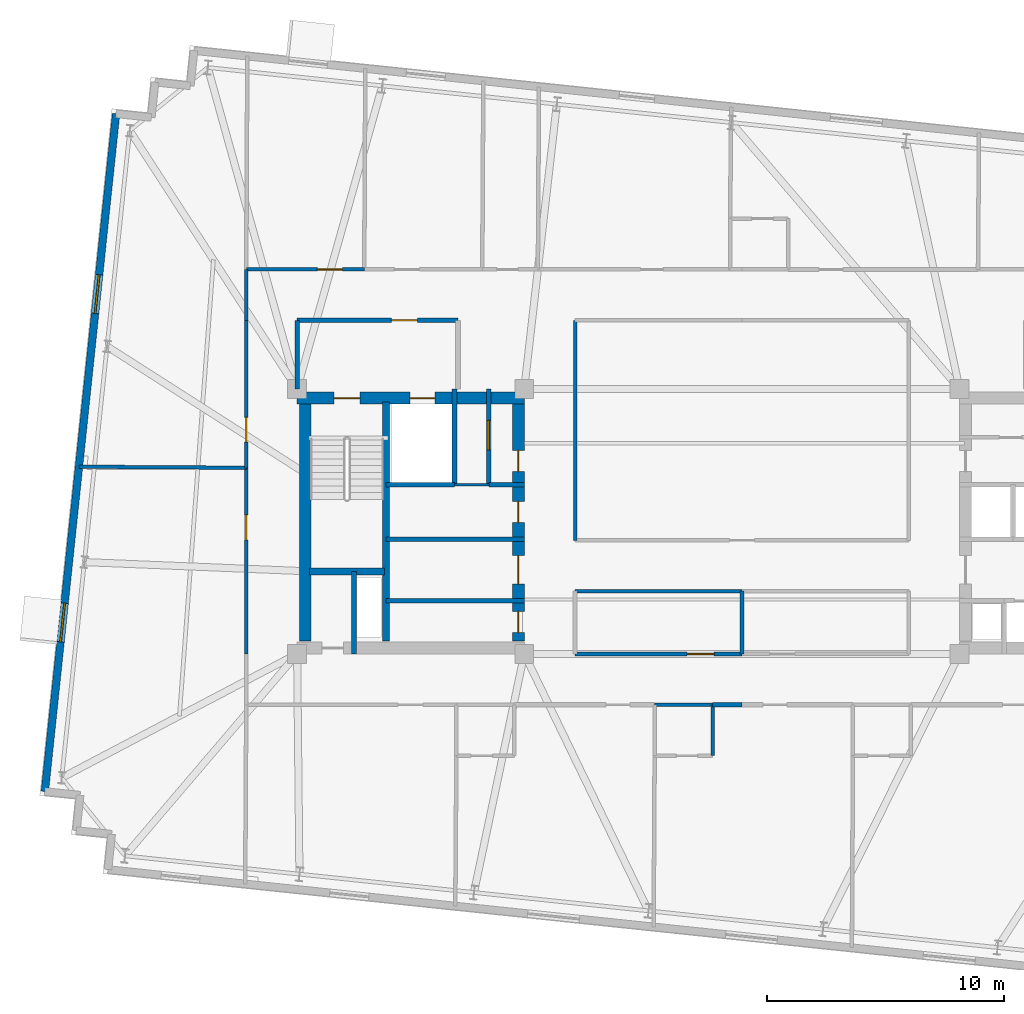
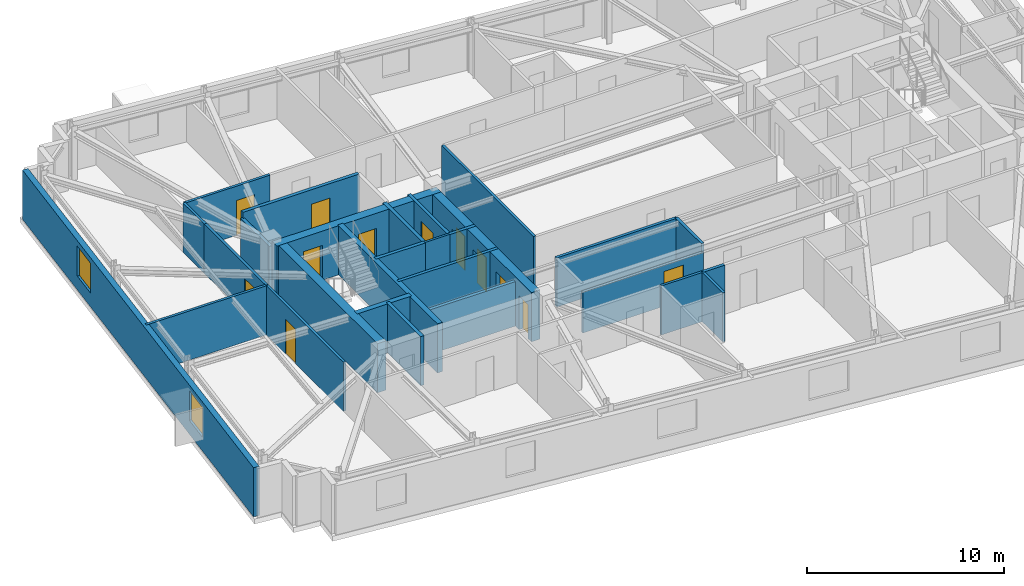
# One storey, part 6 of 11: 28 walls, 12 doors, 2 windows, 14 openings.
"""IFC4 building model written with IfcOpenShell, lengths in metres."""

import ifcopenshell
import ifcopenshell.guid

model = None  # the IFC model being written
_history = None  # IfcOwnerHistory: only IFC2X3 demands one
_inside = {}  # id of a spatial element -> (the spatial element, [elements in it])
_under = {}  # id of a project, library or spatial element -> (it, [spatial elements below it])
_declared = {}  # id of a project -> (the project, [libraries it declares])
_typed = {}  # id of a type object -> (the type object, [elements of that type])
_made_of = {}  # id of a material, layer set ... -> (it, [elements and type objects made of it])


def new_model(schema):
    """Start an empty IFC model of exactly this schema.

    Asked for "IFC4X3", IfcOpenShell would pick the latest addendum, in which some entities
    have other attributes; the version numbers below select the first issue.
    IFC2X3 requires an IfcOwnerHistory on every rooted entity: one is made here for all.
    """
    global model, _history
    if schema == "IFC4X3":
        model = ifcopenshell.file(schema_version=(4, 3, 0, 0))
    else:
        model = ifcopenshell.file(schema=schema)
    _inside.clear()
    _under.clear()
    _declared.clear()
    _typed.clear()
    _made_of.clear()
    _history = None
    if model.schema == "IFC2X3":
        org = make("IfcOrganization", Name="unknown")
        user = make(
            "IfcPersonAndOrganization",
            ThePerson=make("IfcPerson", FamilyName="unknown"),
            TheOrganization=org,
        )
        app = make(
            "IfcApplication",
            ApplicationDeveloper=org,
            Version="unknown",
            ApplicationFullName="unknown",
            ApplicationIdentifier="unknown",
        )
        _history = make(
            "IfcOwnerHistory",
            OwningUser=user,
            OwningApplication=app,
            ChangeAction="ADDED",
            CreationDate=0,
        )
    return model


def make(cls, **values):
    """One entity of the class cls with the attributes given. An attribute that is None is left unset."""
    return model.create_entity(
        cls, **{name: value for name, value in values.items() if value is not None}
    )


def rooted(cls, **values):
    """An entity with a GlobalId (a new one), such as an element, a storey or a relation."""
    return make(cls, GlobalId=ifcopenshell.guid.new(), OwnerHistory=_history, **values)


def si_unit(unit_type, name, prefix=None):
    """IfcSIUnit, for example si_unit("LENGTHUNIT", "METRE", prefix="MILLI")."""
    return make("IfcSIUnit", UnitType=unit_type, Prefix=prefix, Name=name)


def assignment(units):
    """IfcUnitAssignment: the units of a project."""
    return None if units is None else make("IfcUnitAssignment", Units=units)


def point(xyz):
    """IfcCartesianPoint."""
    return None if xyz is None else make("IfcCartesianPoint", Coordinates=xyz)


def direction(xyz):
    """IfcDirection."""
    return None if xyz is None else make("IfcDirection", DirectionRatios=xyz)


def frame(location, z_axis=None, x_axis=None):
    """IfcAxis2Placement3D, a coordinate frame: its origin and axes. An axis left out is left unset."""
    return make(
        "IfcAxis2Placement3D",
        Location=point(location),
        Axis=direction(z_axis),
        RefDirection=direction(x_axis),
    )


def frame_2d(location, x_axis=None):
    """IfcAxis2Placement2D, a coordinate frame in the plane: its origin and x axis."""
    return make(
        "IfcAxis2Placement2D", Location=point(location), RefDirection=direction(x_axis)
    )


def origin():
    """The frame at (0, 0, 0) with its axes left unset."""
    return frame((0.0, 0.0, 0.0))


def place(relative_to, where):
    """IfcLocalPlacement: puts the frame where relative to a parent placement (None: the world)."""
    return make(
        "IfcLocalPlacement", PlacementRelTo=relative_to, RelativePlacement=where
    )


def context(
    kind, dimensions, precision=None, world=None, true_north=None, identifier=None
):
    """IfcGeometricRepresentationContext, for example the 3D "Model" context."""
    return make(
        "IfcGeometricRepresentationContext",
        ContextIdentifier=identifier,
        ContextType=kind,
        CoordinateSpaceDimension=dimensions,
        Precision=precision,
        WorldCoordinateSystem=world,
        TrueNorth=true_north,
    )


def subcontext(parent, identifier, kind, view, scale=None):
    """IfcGeometricRepresentationSubContext, for example "Body" below "Model"."""
    return make(
        "IfcGeometricRepresentationSubContext",
        ContextIdentifier=identifier,
        ContextType=kind,
        ParentContext=parent,
        TargetScale=scale,
        TargetView=view,
    )


def project(units=None, contexts=None):
    """IfcProject with its units and contexts."""
    return rooted(
        "IfcProject",
        Name="project",
        RepresentationContexts=contexts,
        UnitsInContext=assignment(units),
    )


def spatial(cls, under=None, at=None, **own):
    """A site, building, storey or space (cls), placed at a placement, below another one or the project."""
    s = rooted(cls, ObjectPlacement=at, **own)
    if under is not None:
        _under.setdefault(under.id(), (under, []))[1].append(s)
    return s


def profile(cls, at=None, kind="AREA", **sizes):
    """A parametric profile (cls). Its sizes go by their IFC names, for example OverallWidth=200.0."""
    return make(cls, ProfileType=kind, Position=at, **sizes)


def rectangle(**sizes):
    """IfcRectangleProfileDef."""
    return profile("IfcRectangleProfileDef", **sizes)


def extrude(swept, where, along, depth):
    """IfcExtrudedAreaSolid: the profile swept, set in the frame where, extruded along a direction by depth."""
    return make(
        "IfcExtrudedAreaSolid",
        SweptArea=swept,
        Position=where,
        ExtrudedDirection=direction(along),
        Depth=depth,
    )


def shape(context_of_items, identifier, shape_type, items):
    """IfcShapeRepresentation: the items that make up one representation, for example the "Body"."""
    return make(
        "IfcShapeRepresentation",
        ContextOfItems=context_of_items,
        RepresentationIdentifier=identifier,
        RepresentationType=shape_type,
        Items=items,
    )


def material(Name=None, Category=None):
    """IfcMaterial."""
    return make("IfcMaterial", Name=Name, Category=Category)


def layer(
    of_material, thickness, ventilated=None, Name=None, Category=None, Priority=None
):
    """IfcMaterialLayer: one layer of a wall or slab, of a material (None: an air gap)."""
    return make(
        "IfcMaterialLayer",
        Material=of_material,
        LayerThickness=thickness,
        IsVentilated=ventilated,
        Name=Name,
        Category=Category,
        Priority=Priority,
    )


def layer_set(layers, Name=None):
    """IfcMaterialLayerSet."""
    return make("IfcMaterialLayerSet", MaterialLayers=layers, LayerSetName=Name)


def made_of(thing, what):
    """Note that an element or type object is made of a material, layer set ...; save() writes the relation."""
    if what is not None:
        _made_of.setdefault(what.id(), (what, []))[1].append(thing)
    return thing


def type_object(cls, material=None, **own):
    """A type object (cls), such as IfcWallType, which elements share."""
    return made_of(rooted(cls, **own), material)


def element(
    cls,
    number,
    at=None,
    inside=None,
    cuts=None,
    type_object=None,
    material=None,
    context=None,
    identifier="Body",
    shape_type=None,
    held_by="IfcProductDefinitionShape",
    body=None,
    shapes=None,
    **own,
):
    """One element of the class cls, such as IfcWall. Its Tag is "e" and its number.

    at: its placement. inside: the storey or other place that contains it. cuts: it is an
    opening in that element (IfcRelVoidsElement). A single representation is given by context,
    identifier, shape_type and body (its items); several are given by shapes. held_by: the class
    of the entity that holds the representations. save() writes the other relations.
    """
    e = rooted(cls, Tag="e%d" % number, ObjectPlacement=at, **own)
    if body is not None:
        shapes = [shape(context, identifier, shape_type, body)]
    if shapes is not None:
        e.Representation = make(held_by, Representations=shapes)
    if inside is not None:
        _inside.setdefault(inside.id(), (inside, []))[1].append(e)
    if cuts is not None:
        rooted(
            "IfcRelVoidsElement", RelatingBuildingElement=cuts, RelatedOpeningElement=e
        )
    if type_object is not None:
        _typed.setdefault(type_object.id(), (type_object, []))[1].append(e)
    return made_of(e, material)


def fill(opening, filler):
    """IfcRelFillsElement: the door or window that sits in an opening."""
    return rooted(
        "IfcRelFillsElement",
        RelatingOpeningElement=opening,
        RelatedBuildingElement=filler,
    )


def aggregate(whole, parts):
    """IfcRelAggregates: a whole, such as a stair, and the parts it consists of."""
    return rooted("IfcRelAggregates", RelatingObject=whole, RelatedObjects=parts)


def save(model, path):
    """Write the relations noted so far, then the file.

    IfcRelAggregates (storeys below a building ...), IfcRelContainedInSpatialStructure (elements
    in a storey), IfcRelDefinesByType, IfcRelAssociatesMaterial and IfcRelDeclares: one each for
    every whole, place, type object, material and project.
    """
    for whole, parts in _under.values():
        aggregate(whole, parts)
    for where, things in _inside.values():
        rooted(
            "IfcRelContainedInSpatialStructure",
            RelatedElements=things,
            RelatingStructure=where,
        )
    for kind, things in _typed.values():
        rooted("IfcRelDefinesByType", RelatedObjects=things, RelatingType=kind)
    for what, things in _made_of.values():
        rooted("IfcRelAssociatesMaterial", RelatedObjects=things, RelatingMaterial=what)
    for by, libraries in _declared.values():
        rooted("IfcRelDeclares", RelatingContext=by, RelatedDefinitions=libraries)
    model.write(path)


model = new_model("IFC4")

# Units and contexts
model_context = context("Model", 3, precision=1e-05, world=origin(), true_north=direction((0.0, 1.0)))
body_context = subcontext(model_context, "Body", "Model", "MODEL_VIEW")
ifc_project = project(units=[si_unit("LENGTHUNIT", "METRE"), si_unit("AREAUNIT", "SQUARE_METRE"), si_unit("VOLUMEUNIT", "CUBIC_METRE"), si_unit("PLANEANGLEUNIT", "RADIAN"), si_unit("MASSUNIT", "GRAM", prefix="KILO")], contexts=[model_context])

# Site, building, storey
site_placement = place(None, origin())
site = spatial("IfcSite", under=ifc_project, at=site_placement, CompositionType="ELEMENT")
building_placement = place(site_placement, origin())
building = spatial("IfcBuilding", under=site, at=building_placement, Name="Qobustan Lattice House", CompositionType="ELEMENT")
storey_placement = place(building_placement, frame((0.0, 0.0, 193.050048828125)))
storey = spatial("IfcBuildingStorey", under=building, at=storey_placement, Name="L54", CompositionType="ELEMENT", Elevation=193.050048828125)

# Wall, openings, doors
ifc_material_1 = material(Name="Concrete C50/60", Category="concrete")
ifc_layer_1 = layer(ifc_material_1, 0.5)
ifc_layer_set_1 = layer_set([ifc_layer_1], Name="Concrete C50/60")
wall_type_1 = type_object("IfcWallType", Name="WAL-CORE-500", PredefinedType="SHEAR", material=ifc_layer_set_1)
wall_1_placement = place(storey_placement, frame((-18.800048828125, 5.2099609375, 0.0), z_axis=(0.0, 0.0, 1.0), x_axis=(1.0, 0.0, 0.0)))
wall_1 = element("IfcWall", 1, at=wall_1_placement, inside=storey, type_object=wall_type_1, Name="L54 split-core shear wall CW-N", PredefinedType="SHEAR", context=body_context, shape_type="SweptSolid", body=[
    extrude(rectangle(XDim=9.60009765625, YDim=0.5, at=frame_2d((4.800048828125, 0.0))), origin(), (0.0, 0.0, 1.0), 3.0400390625),
])
opening_1_placement = place(wall_1_placement, frame((1.550048828125, 0.0, 0.0)))
opening_1 = element("IfcOpeningElement", 2, at=opening_1_placement, cuts=wall_1, Name="Opening SD-01", PredefinedType="OPENING", context=body_context, shape_type="SweptSolid", body=[
    extrude(rectangle(XDim=1.10009765625, YDim=2.14990234375, at=frame_2d((0.550048828125, 1.074951171875))), frame((0.0, 0.260009765625, 0.0), z_axis=(0.0, -1.0, 0.0), x_axis=(1.0, 0.0, 0.0)), (0.0, 0.0, 1.0), 0.52001953125),
])
opening_2_placement = place(wall_1_placement, frame((4.77490234375, 0.0, 0.0)))
opening_2 = element("IfcOpeningElement", 3, at=opening_2_placement, cuts=wall_1, Name="Opening LD-01", PredefinedType="OPENING", context=body_context, shape_type="SweptSolid", body=[
    extrude(rectangle(XDim=1.050048828125, YDim=2.10009765625, at=frame_2d((0.52490234375, 1.050048828125))), frame((0.0, 0.260009765625, 0.0), z_axis=(0.0, -1.0, 0.0), x_axis=(1.0, 0.0, 0.0)), (0.0, 0.0, 1.0), 0.52001953125),
])
ifc_material_2 = material(Name="Persian walnut timber and steel frame door", Category="steel")
door_type_1 = type_object("IfcDoorType", Name="DOR-LIFT-LD-1050x2100", OperationType="NOTDEFINED", PredefinedType="DOOR", material=ifc_material_2)
door_1_placement = place(opening_2_placement, origin())
door_1 = element("IfcDoor", 4, at=door_1_placement, inside=storey, type_object=door_type_1, Name="L54 firefighting lift FF-W landing door", OperationType="DOUBLE_DOOR_SLIDING", OverallHeight=2.10009765625, OverallWidth=1.050048828125, PredefinedType="DOOR", context=body_context, shape_type="SweptSolid", body=[
    extrude(rectangle(XDim=1.050048828125, YDim=2.10009765625, at=frame_2d((0.52490234375, 1.050048828125))), frame((0.0, 0.02490234375, 0.0), z_axis=(0.0, -1.0, 0.0), x_axis=(1.0, 0.0, 0.0)), (0.0, 0.0, 1.0), 0.050048828125),
])
fill(opening_2, door_1)
ifc_material_3 = material(Name="Persian walnut timber and steel frame door", Category="steel")
door_type_2 = type_object("IfcDoorType", Name="DOR-STAIR-FD-1100x2150", OperationType="NOTDEFINED", PredefinedType="DOOR", material=ifc_material_3)
door_2_placement = place(opening_1_placement, origin())
door_2 = element("IfcDoor", 5, at=door_2_placement, inside=storey, type_object=door_type_2, Name="L54 exit stair ST-W1 fire door", OperationType="SINGLE_SWING_LEFT", OverallHeight=2.14990234375, OverallWidth=1.10009765625, PredefinedType="DOOR", context=body_context, shape_type="SweptSolid", body=[
    extrude(rectangle(XDim=1.10009765625, YDim=2.14990234375, at=frame_2d((0.550048828125, 1.074951171875))), frame((0.0, 0.02490234375, 0.0), z_axis=(0.0, -1.0, 0.0), x_axis=(1.0, 0.0, 0.0)), (0.0, 0.0, 1.0), 0.050048828125),
])
fill(opening_1, door_2)

# Wall
wall_2_placement = place(storey_placement, frame((-18.4599609375, -5.050048828125, 0.0), z_axis=(0.0, 0.0, 1.0), x_axis=(0.0, 1.0, 0.0)))
element("IfcWall", 6, at=wall_2_placement, inside=storey, type_object=wall_type_1, Name="L54 split-core shear wall CW-W", PredefinedType="SHEAR", context=body_context, shape_type="SweptSolid", body=[
    extrude(rectangle(XDim=10.10009765625, YDim=0.5, at=frame_2d((5.050048828125, 0.0))), origin(), (0.0, 0.0, 1.0), 3.0400390625),
])

# Wall, openings, doors
wall_3_placement = place(storey_placement, frame((-9.449951171875, -5.050048828125, 0.0), z_axis=(0.0, 0.0, 1.0), x_axis=(0.0, 1.0, 0.0)))
wall_3 = element("IfcWall", 7, at=wall_3_placement, inside=storey, type_object=wall_type_1, Name="L54 split-core shear wall CW-E", PredefinedType="SHEAR", context=body_context, shape_type="SweptSolid", body=[
    extrude(rectangle(XDim=10.10009765625, YDim=0.5, at=frame_2d((5.050048828125, 0.0))), origin(), (0.0, 0.0, 1.0), 3.0400390625),
])
opening_3_placement = place(wall_3_placement, frame((7.14990234375, 0.0, 0.0)))
opening_3 = element("IfcOpeningElement", 8, at=opening_3_placement, cuts=wall_3, Name="Opening RD-01", PredefinedType="OPENING", context=body_context, shape_type="SweptSolid", body=[
    extrude(rectangle(XDim=0.89990234375, YDim=2.10009765625, at=frame_2d((0.449951171875, 1.050048828125))), frame((0.0, 0.260009765625, 0.0), z_axis=(0.0, -1.0, 0.0), x_axis=(1.0, 0.0, 0.0)), (0.0, 0.0, 1.0), 0.52001953125),
])
opening_4_placement = place(wall_3_placement, frame((2.39990234375, 0.0, 0.0)))
opening_4 = element("IfcOpeningElement", 9, at=opening_4_placement, cuts=wall_3, Name="Opening FD-01", PredefinedType="OPENING", context=body_context, shape_type="SweptSolid", body=[
    extrude(rectangle(XDim=1.199951171875, YDim=2.14990234375, at=frame_2d((0.60009765625, 1.074951171875))), frame((0.0, 0.260009765625, 0.0), z_axis=(0.0, -1.0, 0.0), x_axis=(1.0, 0.0, 0.0)), (0.0, 0.0, 1.0), 0.52001953125),
])
opening_5_placement = place(wall_3_placement, frame((0.35009765625, 0.0, 0.0)))
opening_5 = element("IfcOpeningElement", 10, at=opening_5_placement, cuts=wall_3, Name="Opening RD-01", PredefinedType="OPENING", context=body_context, shape_type="SweptSolid", body=[
    extrude(rectangle(XDim=0.89990234375, YDim=2.10009765625, at=frame_2d((0.449951171875, 1.050048828125))), frame((0.0, 0.260009765625, 0.0), z_axis=(0.0, -1.0, 0.0), x_axis=(1.0, 0.0, 0.0)), (0.0, 0.0, 1.0), 0.52001953125),
])
opening_6_placement = place(wall_3_placement, frame((5.0, 0.0, 0.0)))
opening_6 = element("IfcOpeningElement", 11, at=opening_6_placement, cuts=wall_3, Name="Opening RD-01", PredefinedType="OPENING", context=body_context, shape_type="SweptSolid", body=[
    extrude(rectangle(XDim=0.89990234375, YDim=2.10009765625, at=frame_2d((0.449951171875, 1.050048828125))), frame((0.0, 0.260009765625, 0.0), z_axis=(0.0, -1.0, 0.0), x_axis=(1.0, 0.0, 0.0)), (0.0, 0.0, 1.0), 0.52001953125),
])
ifc_material_4 = material(Name="Persian walnut timber and steel frame door", Category="steel")
door_type_3 = type_object("IfcDoorType", Name="DOR-LOBBY-FD-1200x2150", OperationType="NOTDEFINED", PredefinedType="DOOR", material=ifc_material_4)
door_3_placement = place(opening_4_placement, origin())
door_3 = element("IfcDoor", 12, at=door_3_placement, inside=storey, type_object=door_type_3, Name="L54 West core foyer fire door", OperationType="SINGLE_SWING_RIGHT", OverallHeight=2.14990234375, OverallWidth=1.199951171875, PredefinedType="DOOR", context=body_context, shape_type="SweptSolid", body=[
    extrude(rectangle(XDim=1.199951171875, YDim=2.14990234375, at=frame_2d((0.60009765625, 1.074951171875))), frame((0.0, 0.02490234375, 0.0), z_axis=(0.0, -1.0, 0.0), x_axis=(1.0, 0.0, 0.0)), (0.0, 0.0, 1.0), 0.050048828125),
])
fill(opening_4, door_3)
ifc_material_5 = material(Name="Persian walnut timber and steel frame door", Category="steel")
door_type_4 = type_object("IfcDoorType", Name="DOR-RISER-FD-900x2100", OperationType="NOTDEFINED", PredefinedType="DOOR", material=ifc_material_5)
door_4_placement = place(opening_3_placement, origin())
door_4 = element("IfcDoor", 13, at=door_4_placement, inside=storey, type_object=door_type_4, Name="L54 Data comms closet fire door", OperationType="SINGLE_SWING_LEFT", OverallHeight=2.10009765625, OverallWidth=0.89990234375, PredefinedType="DOOR", context=body_context, shape_type="SweptSolid", body=[
    extrude(rectangle(XDim=0.89990234375, YDim=2.10009765625, at=frame_2d((0.449951171875, 1.050048828125))), frame((0.0, 0.02490234375, 0.0), z_axis=(0.0, -1.0, 0.0), x_axis=(1.0, 0.0, 0.0)), (0.0, 0.0, 1.0), 0.050048828125),
])
fill(opening_3, door_4)
door_5_placement = place(opening_5_placement, origin())
door_5 = element("IfcDoor", 14, at=door_5_placement, inside=storey, type_object=door_type_4, Name="L54 Collaborative study lounge fire door", OperationType="SINGLE_SWING_LEFT", OverallHeight=2.10009765625, OverallWidth=0.89990234375, PredefinedType="DOOR", context=body_context, shape_type="SweptSolid", body=[
    extrude(rectangle(XDim=0.89990234375, YDim=2.10009765625, at=frame_2d((0.449951171875, 1.050048828125))), frame((0.0, 0.02490234375, 0.0), z_axis=(0.0, -1.0, 0.0), x_axis=(1.0, 0.0, 0.0)), (0.0, 0.0, 1.0), 0.050048828125),
])
fill(opening_5, door_5)
door_6_placement = place(opening_6_placement, origin())
door_6 = element("IfcDoor", 15, at=door_6_placement, inside=storey, type_object=door_type_4, Name="L54 Focus booth pod fire door", OperationType="SINGLE_SWING_RIGHT", OverallHeight=2.10009765625, OverallWidth=0.89990234375, PredefinedType="DOOR", context=body_context, shape_type="SweptSolid", body=[
    extrude(rectangle(XDim=0.89990234375, YDim=2.10009765625, at=frame_2d((0.449951171875, 1.050048828125))), frame((0.0, 0.02490234375, 0.0), z_axis=(0.0, -1.0, 0.0), x_axis=(1.0, 0.0, 0.0)), (0.0, 0.0, 1.0), 0.050048828125),
])
fill(opening_6, door_6)

# Walls
ifc_material_6 = material(Name="Concrete C50/60", Category="concrete")
ifc_layer_2 = layer(ifc_material_6, 0.280029296875)
ifc_layer_set_2 = layer_set([ifc_layer_2], Name="Concrete C50/60")
wall_type_2 = type_object("IfcWallType", Name="WAL-CORE-SPINE-280", PredefinedType="SHEAR", material=ifc_layer_set_2)
wall_4_placement = place(storey_placement, frame((-15.050048828125, -5.050048828125, 0.0), z_axis=(0.0, 0.0, 1.0), x_axis=(0.0, 1.0, 0.0)))
element("IfcWall", 16, at=wall_4_placement, inside=storey, type_object=wall_type_2, Name="L54 split-core shear wall CW-M", PredefinedType="SHEAR", context=body_context, shape_type="SweptSolid", body=[
    extrude(rectangle(XDim=10.10009765625, YDim=0.300048828125, at=frame_2d((5.050048828125, 0.0))), origin(), (0.0, 0.0, 1.0), 3.0400390625),
])
wall_5_placement = place(storey_placement, frame((-18.280029296875, -2.110107421875, 0.0), z_axis=(0.0, 0.0, 1.0), x_axis=(1.0, 0.0, 0.0)))
element("IfcWall", 17, at=wall_5_placement, inside=storey, type_object=wall_type_2, Name="L54 split-core shear wall CW-ST", PredefinedType="SHEAR", context=body_context, shape_type="SweptSolid", body=[
    extrude(rectangle(XDim=3.179931640625, YDim=0.300048828125, at=frame_2d((1.58984375, 0.0))), origin(), (0.0, 0.0, 1.0), 3.0400390625),
])

# Wall, openings, windows
ifc_material_7 = material(Name="Precast concrete C40/50", Category="concrete")
ifc_layer_3 = layer(ifc_material_7, 0.320068359375)
ifc_layer_set_3 = layer_set([ifc_layer_3], Name="Precast concrete C40/50")
wall_type_3 = type_object("IfcWallType", Name="WAL-EXT-STONE-320", PredefinedType="SOLIDWALL", material=ifc_layer_set_3)
wall_6_placement = place(storey_placement, frame((-29.46337890625, -11.413818359375, 0.0), z_axis=(0.0, 0.0, 1.0), x_axis=(0.104530779244, 0.994521651947, 0.0)))
wall_6 = element("IfcWall", 18, at=wall_6_placement, inside=storey, type_object=wall_type_3, Name="L54 exterior limestone-clad wall 5", PredefinedType="SOLIDWALL", context=body_context, shape_type="SweptSolid", body=[
    extrude(rectangle(XDim=28.800048828125, YDim=0.320068359375, at=frame_2d((14.39990234375, 0.0))), origin(), (0.0, 0.0, 1.0), 3.0400390625),
])
opening_7_placement = place(wall_6_placement, frame((6.35498046875, 0.0, 0.85009765625)))
opening_7 = element("IfcOpeningElement", 19, at=opening_7_placement, cuts=wall_6, Name="Opening WN-09", PredefinedType="OPENING", context=body_context, shape_type="SweptSolid", body=[
    extrude(rectangle(XDim=1.64990234375, YDim=1.85009765625, at=frame_2d((0.824951171875, 0.925048828125))), frame((0.0, 0.169921875, 0.0), z_axis=(0.0, -1.0, 0.0), x_axis=(1.0, 0.0, 0.0)), (0.0, 0.0, 1.0), 0.340087890625),
])
opening_8_placement = place(wall_6_placement, frame((20.313720703125, 0.0, 0.85009765625)))
opening_8 = element("IfcOpeningElement", 20, at=opening_8_placement, cuts=wall_6, Name="Opening WN-09", PredefinedType="OPENING", context=body_context, shape_type="SweptSolid", body=[
    extrude(rectangle(XDim=1.64990234375, YDim=1.85009765625, at=frame_2d((0.824951171875, 0.925048828125))), frame((0.0, 0.169921875, 0.0), z_axis=(0.0, -1.0, 0.0), x_axis=(1.0, 0.0, 0.0)), (0.0, 0.0, 1.0), 0.340087890625),
])
ifc_material_8 = material(Name="Double-glazed low-E aluminium window", Category="aluminium")
window_type = type_object("IfcWindowType", Name="WIN-STU-1650x1850", PartitioningType="SINGLE_PANEL", PredefinedType="WINDOW", material=ifc_material_8)
window_1_placement = place(opening_7_placement, origin())
window_1 = element("IfcWindow", 21, at=window_1_placement, inside=storey, type_object=window_type, Name="L54 Fellows reading room window", OverallHeight=1.85009765625, OverallWidth=1.64990234375, PartitioningType="SINGLE_PANEL", PredefinedType="WINDOW", context=body_context, shape_type="SweptSolid", body=[
    extrude(rectangle(XDim=1.64990234375, YDim=1.85009765625, at=frame_2d((0.824951171875, 0.925048828125))), frame((0.0, 0.030029296875, 0.0), z_axis=(0.0, -1.0, 0.0), x_axis=(1.0, 0.0, 0.0)), (0.0, 0.0, 1.0), 0.06005859375),
])
fill(opening_7, window_1)
window_2_placement = place(opening_8_placement, origin())
window_2 = element("IfcWindow", 22, at=window_2_placement, inside=storey, type_object=window_type, Name="L54 Collaborative tutorial room window", OverallHeight=1.85009765625, OverallWidth=1.64990234375, PartitioningType="SINGLE_PANEL", PredefinedType="WINDOW", context=body_context, shape_type="SweptSolid", body=[
    extrude(rectangle(XDim=1.64990234375, YDim=1.85009765625, at=frame_2d((0.824951171875, 0.925048828125))), frame((0.0, 0.030029296875, 0.0), z_axis=(0.0, -1.0, 0.0), x_axis=(1.0, 0.0, 0.0)), (0.0, 0.0, 1.0), 0.06005859375),
])
fill(opening_8, window_2)

# Wall, opening, door
ifc_material_9 = material(Name="Gypsum fireboard acoustic partition", Category="gypsum")
ifc_layer_4 = layer(ifc_material_9, 0.179931640625)
ifc_layer_set_4 = layer_set([ifc_layer_4], Name="Gypsum fireboard acoustic partition")
wall_type_4 = type_object("IfcWallType", Name="WAL-FIRE-180", PredefinedType="PARTITIONING", material=ifc_layer_set_4)
wall_7_placement = place(storey_placement, frame((-10.699951171875, 5.60009765625, 0.0), z_axis=(0.0, 0.0, 1.0), x_axis=(0.0, -1.0, 0.0)))
wall_7 = element("IfcWall", 23, at=wall_7_placement, inside=storey, type_object=wall_type_4, Name="L54 interior partition 6", PredefinedType="PARTITIONING", context=body_context, shape_type="SweptSolid", body=[
    extrude(rectangle(XDim=4.050048828125, YDim=0.179931640625, at=frame_2d((2.02490234375, 0.0))), origin(), (0.0, 0.0, 1.0), 3.0400390625),
])
opening_9_placement = place(wall_7_placement, frame((1.324951171875, 0.0, 0.0)))
opening_9 = element("IfcOpeningElement", 24, at=opening_9_placement, cuts=wall_7, Name="Opening FD-03", PredefinedType="OPENING", context=body_context, shape_type="SweptSolid", body=[
    extrude(rectangle(XDim=1.25, YDim=2.199951171875, at=frame_2d((0.625, 1.10009765625))), frame((0.0, 0.099853515625, 0.0), z_axis=(0.0, -1.0, 0.0), x_axis=(1.0, 0.0, 0.0)), (0.0, 0.0, 1.0), 0.199951171875),
])
ifc_material_10 = material(Name="Persian walnut timber and steel frame door", Category="steel")
door_type_5 = type_object("IfcDoorType", Name="DOR-PLANT-1250x2200", OperationType="NOTDEFINED", PredefinedType="DOOR", material=ifc_material_10)
door_7_placement = place(opening_9_placement, origin())
door_7 = element("IfcDoor", 25, at=door_7_placement, inside=storey, type_object=door_type_5, Name="L54 Data comms closet to Linen store door", OperationType="SINGLE_SWING_RIGHT", OverallHeight=2.199951171875, OverallWidth=1.25, PredefinedType="DOOR", context=body_context, shape_type="SweptSolid", body=[
    extrude(rectangle(XDim=1.25, YDim=2.199951171875, at=frame_2d((0.625, 1.10009765625))), frame((0.0, 0.02490234375, 0.0), z_axis=(0.0, -1.0, 0.0), x_axis=(1.0, 0.0, 0.0)), (0.0, 0.0, 1.0), 0.050048828125),
])
fill(opening_9, door_7)

# Walls
wall_8_placement = place(storey_placement, frame((-10.699951171875, 1.550048828125, 0.0), z_axis=(0.0, 0.0, 1.0), x_axis=(1.0, 0.0, 0.0)))
element("IfcWall", 26, at=wall_8_placement, inside=storey, type_object=wall_type_4, Name="L54 interior partition 7", PredefinedType="PARTITIONING", context=body_context, shape_type="SweptSolid", body=[
    extrude(rectangle(XDim=1.5, YDim=0.179931640625, at=frame_2d((0.75, 0.0))), origin(), (0.0, 0.0, 1.0), 3.0400390625),
])
wall_9_placement = place(storey_placement, frame((-15.050048828125, -3.35009765625, 0.0), z_axis=(0.0, 0.0, 1.0), x_axis=(1.0, 0.0, 0.0)))
element("IfcWall", 27, at=wall_9_placement, inside=storey, type_object=wall_type_4, Name="L54 interior partition 10", PredefinedType="PARTITIONING", context=body_context, shape_type="SweptSolid", body=[
    extrude(rectangle(XDim=5.85009765625, YDim=0.179931640625, at=frame_2d((2.925048828125, 0.0))), origin(), (0.0, 0.0, 1.0), 2.7548828125),
])
wall_10_placement = place(storey_placement, frame((-9.199951171875, -0.75, 0.0), z_axis=(0.0, 0.0, 1.0), x_axis=(-1.0, 0.0, 0.0)))
element("IfcWall", 28, at=wall_10_placement, inside=storey, type_object=wall_type_4, Name="L54 interior partition 11", PredefinedType="PARTITIONING", context=body_context, shape_type="SweptSolid", body=[
    extrude(rectangle(XDim=5.85009765625, YDim=0.179931640625, at=frame_2d((2.925048828125, 0.0))), origin(), (0.0, 0.0, 1.0), 3.0400390625),
])
wall_11_placement = place(storey_placement, frame((0.0, -7.75, 0.0), z_axis=(0.0, 0.0, 1.0), x_axis=(-1.0, 0.0, 0.0)))
element("IfcWall", 29, at=wall_11_placement, inside=storey, type_object=wall_type_4, Name="L54 interior partition 50", PredefinedType="PARTITIONING", context=body_context, shape_type="SweptSolid", body=[
    extrude(rectangle(XDim=1.239990234375, YDim=0.179931640625, at=frame_2d((0.6201171875, 0.0))), origin(), (0.0, 0.0, 1.0), 3.0400390625),
])
ifc_material_11 = material(Name="Lightweight acoustic stud partition", Category="gypsum")
ifc_layer_5 = layer(ifc_material_11, 0.125)
ifc_layer_set_5 = layer_set([ifc_layer_5], Name="Lightweight acoustic stud partition")
wall_type_5 = type_object("IfcWallType", Name="WAL-PART-125", PredefinedType="PARTITIONING", material=ifc_layer_set_5)
wall_12_placement = place(storey_placement, frame((-12.14990234375, 1.550048828125, 0.0), z_axis=(0.0, 0.0, 1.0), x_axis=(1.0, 0.0, 0.0)))
element("IfcWall", 30, at=wall_12_placement, inside=storey, type_object=wall_type_5, Name="L54 interior partition 9", PredefinedType="PARTITIONING", context=body_context, shape_type="SweptSolid", body=[
    extrude(rectangle(XDim=1.449951171875, YDim=0.125, at=frame_2d((0.72509765625, 0.0))), origin(), (0.0, 0.0, 1.0), 3.0400390625),
])
ifc_material_12 = material(Name="Acoustic twin-stud gypsum partition", Category="gypsum")
ifc_layer_6 = layer(ifc_material_12, 0.14990234375)
ifc_layer_set_6 = layer_set([ifc_layer_6], Name="Acoustic twin-stud gypsum partition")
wall_type_6 = type_object("IfcWallType", Name="WAL-PART-150", PredefinedType="PARTITIONING", material=ifc_layer_set_6)
wall_13_placement = place(storey_placement, frame((-20.949951171875, 8.5, 0.0), z_axis=(0.0, 0.0, 1.0), x_axis=(0.0, 1.0, 0.0)))
element("IfcWall", 31, at=wall_13_placement, inside=storey, type_object=wall_type_6, Name="L54 interior partition 34", PredefinedType="PARTITIONING", context=body_context, shape_type="SweptSolid", body=[
    extrude(rectangle(XDim=2.14990234375, YDim=0.14990234375, at=frame_2d((1.074951171875, 0.0))), origin(), (0.0, 0.0, 1.0), 3.0400390625),
])

# Wall, opening, door
wall_14_placement = place(storey_placement, frame((-20.949951171875, 10.64990234375, 0.0), z_axis=(0.0, 0.0, 1.0), x_axis=(1.0, 0.0, 0.0)))
wall_14 = element("IfcWall", 32, at=wall_14_placement, inside=storey, type_object=wall_type_6, Name="L54 interior partition 35", PredefinedType="PARTITIONING", context=body_context, shape_type="SweptSolid", body=[
    extrude(rectangle(XDim=4.987548828125, YDim=0.14990234375, at=frame_2d((2.49365234375, 0.0))), origin(), (0.0, 0.0, 1.0), 3.0400390625),
])
opening_10_placement = place(wall_14_placement, frame((3.01025390625, 0.0, 0.0)))
opening_10 = element("IfcOpeningElement", 33, at=opening_10_placement, cuts=wall_14, Name="Opening ID-02", PredefinedType="OPENING", context=body_context, shape_type="SweptSolid", body=[
    extrude(rectangle(XDim=1.050048828125, YDim=2.14990234375, at=frame_2d((0.52490234375, 1.074951171875))), frame((0.0, 0.0849609375, 0.0), z_axis=(0.0, -1.0, 0.0), x_axis=(1.0, 0.0, 0.0)), (0.0, 0.0, 1.0), 0.169921875),
])
ifc_material_13 = material(Name="Persian walnut timber and steel frame door", Category="steel")
door_type_6 = type_object("IfcDoorType", Name="DOR-STUDY-1050x2150", OperationType="NOTDEFINED", PredefinedType="DOOR", material=ifc_material_13)
door_8_placement = place(opening_10_placement, origin())
door_8 = element("IfcDoor", 34, at=door_8_placement, inside=storey, type_object=door_type_6, Name="L54 North-west floor corridor to Focus study room N1A door", OperationType="SINGLE_SWING_LEFT", OverallHeight=2.14990234375, OverallWidth=1.050048828125, PredefinedType="DOOR", context=body_context, shape_type="SweptSolid", body=[
    extrude(rectangle(XDim=1.050048828125, YDim=2.14990234375, at=frame_2d((0.52490234375, 1.074951171875))), frame((0.0, 0.02490234375, 0.0), z_axis=(0.0, -1.0, 0.0), x_axis=(1.0, 0.0, 0.0)), (0.0, 0.0, 1.0), 0.050048828125),
])
fill(opening_10, door_8)

wall_15_placement = place(storey_placement, frame((-20.949951171875, -5.60009765625, 0.0), z_axis=(0.0, 0.0, 1.0), x_axis=(0.0, 1.0, 0.0)))
wall_15 = element("IfcWall", 35, at=wall_15_placement, inside=storey, type_object=wall_type_6, Name="L54 interior partition 60", PredefinedType="PARTITIONING", context=body_context, shape_type="SweptSolid", body=[
    extrude(rectangle(XDim=7.8671875, YDim=0.14990234375, at=frame_2d((3.93359375, 0.0))), origin(), (0.0, 0.0, 1.0), 3.0400390625),
])
opening_11_placement = place(wall_15_placement, frame((4.82275390625, 0.0, 0.0)))
opening_11 = element("IfcOpeningElement", 36, at=opening_11_placement, cuts=wall_15, Name="Opening ID-02", PredefinedType="OPENING", context=body_context, shape_type="SweptSolid", body=[
    extrude(rectangle(XDim=1.050048828125, YDim=2.14990234375, at=frame_2d((0.52490234375, 1.074951171875))), frame((0.0, 0.0849609375, 0.0), z_axis=(0.0, -1.0, 0.0), x_axis=(1.0, 0.0, 0.0)), (0.0, 0.0, 1.0), 0.169921875),
])
door_9_placement = place(opening_11_placement, origin())
door_9 = element("IfcDoor", 37, at=door_9_placement, inside=storey, type_object=door_type_6, Name="L54 West wing spine gallery to Fellows reading room door", OperationType="SINGLE_SWING_RIGHT", OverallHeight=2.14990234375, OverallWidth=1.050048828125, PredefinedType="DOOR", context=body_context, shape_type="SweptSolid", body=[
    extrude(rectangle(XDim=1.050048828125, YDim=2.14990234375, at=frame_2d((0.52490234375, 1.074951171875))), frame((0.0, 0.02490234375, 0.0), z_axis=(0.0, -1.0, 0.0), x_axis=(1.0, 0.0, 0.0)), (0.0, 0.0, 1.0), 0.050048828125),
])
fill(opening_11, door_9)

wall_16_placement = place(storey_placement, frame((-20.949951171875, 2.26708984375, 0.0), z_axis=(0.0, 0.0, 1.0), x_axis=(0.0, 1.0, 0.0)))
wall_16 = element("IfcWall", 38, at=wall_16_placement, inside=storey, type_object=wall_type_6, Name="L54 interior partition 61", PredefinedType="PARTITIONING", context=body_context, shape_type="SweptSolid", body=[
    extrude(rectangle(XDim=6.23291015625, YDim=0.14990234375, at=frame_2d((3.116455078125, 0.0))), origin(), (0.0, 0.0, 1.0), 3.0400390625),
])
opening_12_placement = place(wall_16_placement, frame((1.0830078125, 0.0, 0.0)))
opening_12 = element("IfcOpeningElement", 39, at=opening_12_placement, cuts=wall_16, Name="Opening ID-02", PredefinedType="OPENING", context=body_context, shape_type="SweptSolid", body=[
    extrude(rectangle(XDim=1.050048828125, YDim=2.14990234375, at=frame_2d((0.52490234375, 1.074951171875))), frame((0.0, 0.0849609375, 0.0), z_axis=(0.0, -1.0, 0.0), x_axis=(1.0, 0.0, 0.0)), (0.0, 0.0, 1.0), 0.169921875),
])
door_10_placement = place(opening_12_placement, origin())
door_10 = element("IfcDoor", 40, at=door_10_placement, inside=storey, type_object=door_type_6, Name="L54 West wing spine gallery to Collaborative tutorial room door", OperationType="SINGLE_SWING_LEFT", OverallHeight=2.14990234375, OverallWidth=1.050048828125, PredefinedType="DOOR", context=body_context, shape_type="SweptSolid", body=[
    extrude(rectangle(XDim=1.050048828125, YDim=2.14990234375, at=frame_2d((0.52490234375, 1.074951171875))), frame((0.0, 0.02490234375, 0.0), z_axis=(0.0, -1.0, 0.0), x_axis=(1.0, 0.0, 0.0)), (0.0, 0.0, 1.0), 0.050048828125),
])
fill(opening_12, door_10)

# Walls
wall_17_placement = place(storey_placement, frame((-7.050048828125, 8.5, 0.0), z_axis=(0.0, 0.0, 1.0), x_axis=(0.0, -1.0, 0.0)))
element("IfcWall", 41, at=wall_17_placement, inside=storey, type_object=wall_type_6, Name="L54 interior partition 67", PredefinedType="PARTITIONING", context=body_context, shape_type="SweptSolid", body=[
    extrude(rectangle(XDim=9.300048828125, YDim=0.14990234375, at=frame_2d((4.64990234375, 0.0))), origin(), (0.0, 0.0, 1.0), 3.0400390625),
])
wall_18_placement = place(storey_placement, frame((-28.020751953125, 2.310791015625, 0.0), z_axis=(0.0, 0.0, 1.0), x_axis=(0.99998090118, -0.006180394355, 0.0)))
element("IfcWall", 42, at=wall_18_placement, inside=storey, type_object=wall_type_6, Name="L54 interior partition 71", PredefinedType="PARTITIONING", context=body_context, shape_type="SweptSolid", body=[
    extrude(rectangle(XDim=7.071044921875, YDim=0.14990234375, at=frame_2d((3.53564453125, 0.0))), origin(), (0.0, 0.0, 1.0), 3.0400390625),
])

# Wall, opening, door
ifc_material_14 = material(Name="High-mass acoustic twin-stud partition", Category="gypsum")
ifc_layer_7 = layer(ifc_material_14, 0.1650390625)
ifc_layer_set_7 = layer_set([ifc_layer_7], Name="High-mass acoustic twin-stud partition")
wall_type_7 = type_object("IfcWallType", Name="WAL-PART-165", PredefinedType="PARTITIONING", material=ifc_layer_set_7)
wall_19_placement = place(storey_placement, frame((-7.050048828125, -5.60009765625, 0.0), z_axis=(0.0, 0.0, 1.0), x_axis=(1.0, 0.0, 0.0)))
wall_19 = element("IfcWall", 43, at=wall_19_placement, inside=storey, type_object=wall_type_7, Name="L54 interior partition 52", PredefinedType="PARTITIONING", context=body_context, shape_type="SweptSolid", body=[
    extrude(rectangle(XDim=7.050048828125, YDim=0.1650390625, at=frame_2d((3.52490234375, 0.0))), origin(), (0.0, 0.0, 1.0), 2.52490234375),
])
opening_13_placement = place(wall_19_placement, frame((4.7275390625, 0.0, 0.0)))
opening_13 = element("IfcOpeningElement", 44, at=opening_13_placement, cuts=wall_19, Name="Opening ID-03", PredefinedType="OPENING", context=body_context, shape_type="SweptSolid", body=[
    extrude(rectangle(XDim=1.14990234375, YDim=2.14990234375, at=frame_2d((0.574951171875, 1.074951171875))), frame((0.0, 0.092529296875, 0.0), z_axis=(0.0, -1.0, 0.0), x_axis=(1.0, 0.0, 0.0)), (0.0, 0.0, 1.0), 0.18505859375),
])
ifc_material_15 = material(Name="Persian walnut timber and steel frame door", Category="steel")
door_type_7 = type_object("IfcDoorType", Name="DOR-KITCH-1150x2150", OperationType="NOTDEFINED", PredefinedType="DOOR", material=ifc_material_15)
door_11_placement = place(opening_13_placement, origin())
door_11 = element("IfcDoor", 45, at=door_11_placement, inside=storey, type_object=door_type_7, Name="L54 South-west floor corridor to Shared dining kitchen door", OperationType="SINGLE_SWING_LEFT", OverallHeight=2.14990234375, OverallWidth=1.14990234375, PredefinedType="DOOR", context=body_context, shape_type="SweptSolid", body=[
    extrude(rectangle(XDim=1.14990234375, YDim=2.14990234375, at=frame_2d((0.574951171875, 1.074951171875))), frame((0.0, 0.02490234375, 0.0), z_axis=(0.0, -1.0, 0.0), x_axis=(1.0, 0.0, 0.0)), (0.0, 0.0, 1.0), 0.050048828125),
])
fill(opening_13, door_11)

# Walls
wall_20_placement = place(storey_placement, frame((0.0, -2.949951171875, 0.0), z_axis=(0.0, 0.0, 1.0), x_axis=(-1.0, 0.0, 0.0)))
element("IfcWall", 46, at=wall_20_placement, inside=storey, type_object=wall_type_7, Name="L54 interior partition 65", PredefinedType="PARTITIONING", context=body_context, shape_type="SweptSolid", body=[
    extrude(rectangle(XDim=7.050048828125, YDim=0.1650390625, at=frame_2d((3.52490234375, 0.0))), origin(), (0.0, 0.0, 1.0), 3.0400390625),
])
wall_21_placement = place(storey_placement, frame((0.0, -2.949951171875, 0.0), z_axis=(0.0, 0.0, 1.0), x_axis=(0.0, -1.0, 0.0)))
element("IfcWall", 47, at=wall_21_placement, inside=storey, type_object=wall_type_7, Name="L54 interior partition 100", PredefinedType="PARTITIONING", context=body_context, shape_type="SweptSolid", body=[
    extrude(rectangle(XDim=2.650146484375, YDim=0.1650390625, at=frame_2d((1.3251953125, 0.0))), origin(), (0.0, 0.0, 1.0), 3.0400390625),
])

# Wall, opening, door
ifc_material_16 = material(Name="Two-hour gypsum fireboard acoustic partition", Category="gypsum")
ifc_layer_8 = layer(ifc_material_16, 0.199951171875)
ifc_layer_set_8 = layer_set([ifc_layer_8], Name="Two-hour gypsum fireboard acoustic partition")
wall_type_8 = type_object("IfcWallType", Name="WAL-PROT-200", PredefinedType="PARTITIONING", material=ifc_layer_set_8)
wall_22_placement = place(storey_placement, frame((-12.0, 8.5, 0.0), z_axis=(0.0, 0.0, 1.0), x_axis=(-1.0, 0.0, 0.0)))
wall_22 = element("IfcWall", 48, at=wall_22_placement, inside=storey, type_object=wall_type_8, Name="L54 interior partition 3", PredefinedType="PARTITIONING", context=body_context, shape_type="SweptSolid", body=[
    extrude(rectangle(XDim=6.800048828125, YDim=0.199951171875, at=frame_2d((3.39990234375, 0.0))), origin(), (0.0, 0.0, 1.0), 3.0400390625),
])
opening_14_placement = place(wall_22_placement, frame((1.715087890625, 0.0, 0.0)))
opening_14 = element("IfcOpeningElement", 49, at=opening_14_placement, cuts=wall_22, Name="Opening SD-01", PredefinedType="OPENING", context=body_context, shape_type="SweptSolid", body=[
    extrude(rectangle(XDim=1.10009765625, YDim=2.14990234375, at=frame_2d((0.550048828125, 1.074951171875))), frame((0.0, 0.10986328125, 0.0), z_axis=(0.0, -1.0, 0.0), x_axis=(1.0, 0.0, 0.0)), (0.0, 0.0, 1.0), 0.219970703125),
])
door_12_placement = place(opening_14_placement, origin())
door_12 = element("IfcDoor", 50, at=door_12_placement, inside=storey, type_object=door_type_2, Name="L54 West firefighting lift lobby to North-west floor corridor door", OperationType="SINGLE_SWING_LEFT", OverallHeight=2.14990234375, OverallWidth=1.10009765625, PredefinedType="DOOR", context=body_context, shape_type="SweptSolid", body=[
    extrude(rectangle(XDim=1.10009765625, YDim=2.14990234375, at=frame_2d((0.550048828125, 1.074951171875))), frame((0.0, 0.02490234375, 0.0), z_axis=(0.0, -1.0, 0.0), x_axis=(1.0, 0.0, 0.0)), (0.0, 0.0, 1.0), 0.050048828125),
])
fill(opening_14, door_12)

# Walls
wall_23_placement = place(storey_placement, frame((-18.800048828125, 8.5, 0.0), z_axis=(0.0, 0.0, 1.0), x_axis=(0.0, -1.0, 0.0)))
element("IfcWall", 51, at=wall_23_placement, inside=storey, type_object=wall_type_8, Name="L54 interior partition 4", PredefinedType="PARTITIONING", context=body_context, shape_type="SweptSolid", body=[
    extrude(rectangle(XDim=2.89990234375, YDim=0.199951171875, at=frame_2d((1.449951171875, 0.0))), origin(), (0.0, 0.0, 1.0), 2.6650390625),
])
ifc_material_17 = material(Name="Concrete C40/50", Category="concrete")
ifc_layer_9 = layer(ifc_material_17, 0.199951171875)
ifc_layer_set_9 = layer_set([ifc_layer_9], Name="Concrete C40/50")
wall_type_9 = type_object("IfcWallType", Name="WAL-SHAFT-200", PredefinedType="PARTITIONING", material=ifc_layer_set_9)
wall_24_placement = place(storey_placement, frame((-16.39990234375, -5.60009765625, 0.0), z_axis=(0.0, 0.0, 1.0), x_axis=(0.0, 1.0, 0.0)))
element("IfcWall", 52, at=wall_24_placement, inside=storey, type_object=wall_type_9, Name="L54 interior partition 1", PredefinedType="PARTITIONING", context=body_context, shape_type="SweptSolid", body=[
    extrude(rectangle(XDim=3.489990234375, YDim=0.199951171875, at=frame_2d((1.7451171875, 0.0))), origin(), (0.0, 0.0, 1.0), 3.0400390625),
])
wall_25_placement = place(storey_placement, frame((-12.14990234375, 1.550048828125, 0.0), z_axis=(0.0, 0.0, 1.0), x_axis=(0.0, 1.0, 0.0)))
element("IfcWall", 53, at=wall_25_placement, inside=storey, type_object=wall_type_9, Name="L54 interior partition 2", PredefinedType="PARTITIONING", context=body_context, shape_type="SweptSolid", body=[
    extrude(rectangle(XDim=4.050048828125, YDim=0.199951171875, at=frame_2d((2.02490234375, 0.0))), origin(), (0.0, 0.0, 1.0), 3.0400390625),
])
wall_26_placement = place(storey_placement, frame((-15.050048828125, 1.550048828125, 0.0), z_axis=(0.0, 0.0, 1.0), x_axis=(1.0, 0.0, 0.0)))
element("IfcWall", 54, at=wall_26_placement, inside=storey, type_object=wall_type_9, Name="L54 interior partition 101", PredefinedType="PARTITIONING", context=body_context, shape_type="SweptSolid", body=[
    extrude(rectangle(XDim=2.900146484375, YDim=0.199951171875, at=frame_2d((1.4501953125, 0.0))), origin(), (0.0, 0.0, 1.0), 3.0400390625),
])
ifc_material_18 = material(Name="Moisture-resistant acoustic plumbing wall", Category="gypsum")
ifc_layer_10 = layer(ifc_material_18, 0.14990234375)
ifc_layer_set_10 = layer_set([ifc_layer_10], Name="Moisture-resistant acoustic plumbing wall")
wall_type_10 = type_object("IfcWallType", Name="WAL-WET-150", PredefinedType="PLUMBINGWALL", material=ifc_layer_set_10)
wall_27_placement = place(storey_placement, frame((-1.239990234375, -7.75, 0.0), z_axis=(0.0, 0.0, 1.0), x_axis=(-1.0, 0.0, 0.0)))
element("IfcWall", 55, at=wall_27_placement, inside=storey, type_object=wall_type_10, Name="L54 interior partition 51", PredefinedType="PLUMBINGWALL", context=body_context, shape_type="SweptSolid", body=[
    extrude(rectangle(XDim=2.449951171875, YDim=0.14990234375, at=frame_2d((1.22509765625, 0.0))), origin(), (0.0, 0.0, 1.0), 3.0400390625),
])
wall_28_placement = place(storey_placement, frame((-1.239990234375, -9.89990234375, 0.0), z_axis=(0.0, 0.0, 1.0), x_axis=(0.0, 1.0, 0.0)))
element("IfcWall", 56, at=wall_28_placement, inside=storey, type_object=wall_type_10, Name="L54 interior partition 93", PredefinedType="PLUMBINGWALL", context=body_context, shape_type="SweptSolid", body=[
    extrude(rectangle(XDim=2.14990234375, YDim=0.14990234375, at=frame_2d((1.074951171875, 0.0))), origin(), (0.0, 0.0, 1.0), 3.0400390625),
])

save(model, "model.ifc")
